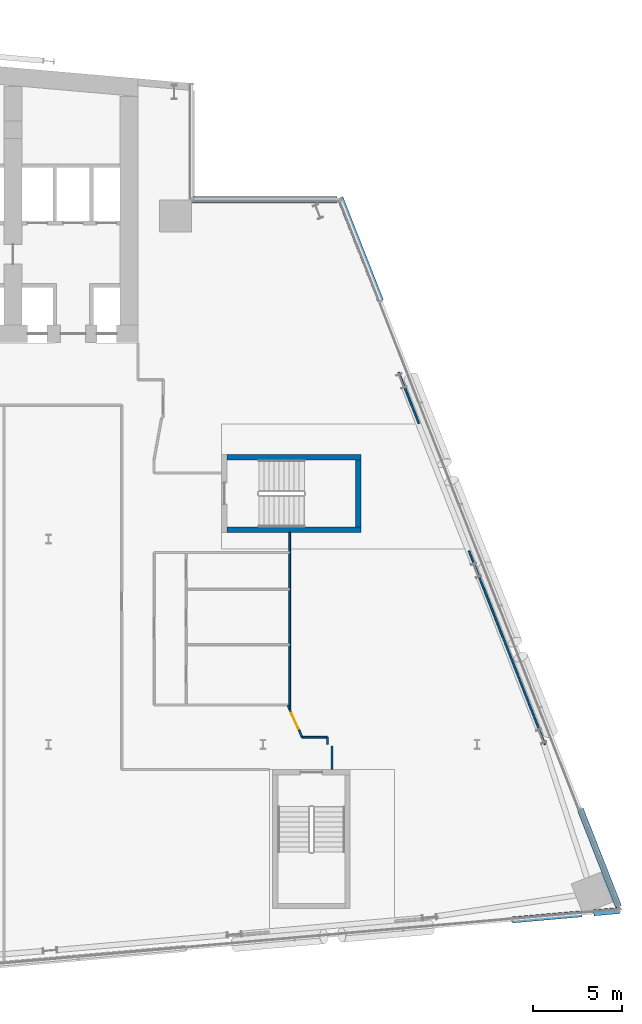
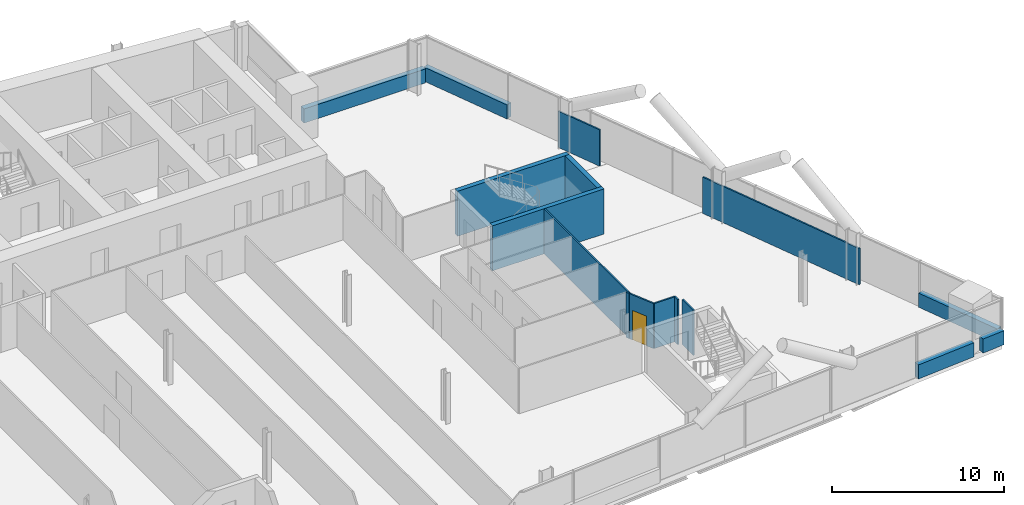
# One storey, part 18 of 25: 16 walls, 1 door, 1 opening.
"""IFC4 building model written with IfcOpenShell, lengths in metres."""

import ifcopenshell
import ifcopenshell.guid

model = None  # the IFC model being written
_history = None  # IfcOwnerHistory: only IFC2X3 demands one
_inside = {}  # id of a spatial element -> (the spatial element, [elements in it])
_under = {}  # id of a project, library or spatial element -> (it, [spatial elements below it])
_declared = {}  # id of a project -> (the project, [libraries it declares])
_typed = {}  # id of a type object -> (the type object, [elements of that type])
_made_of = {}  # id of a material, layer set ... -> (it, [elements and type objects made of it])


def new_model(schema):
    """Start an empty IFC model of exactly this schema.

    Asked for "IFC4X3", IfcOpenShell would pick the latest addendum, in which some entities
    have other attributes; the version numbers below select the first issue.
    IFC2X3 requires an IfcOwnerHistory on every rooted entity: one is made here for all.
    """
    global model, _history
    if schema == "IFC4X3":
        model = ifcopenshell.file(schema_version=(4, 3, 0, 0))
    else:
        model = ifcopenshell.file(schema=schema)
    _inside.clear()
    _under.clear()
    _declared.clear()
    _typed.clear()
    _made_of.clear()
    _history = None
    if model.schema == "IFC2X3":
        org = make("IfcOrganization", Name="unknown")
        user = make(
            "IfcPersonAndOrganization",
            ThePerson=make("IfcPerson", FamilyName="unknown"),
            TheOrganization=org,
        )
        app = make(
            "IfcApplication",
            ApplicationDeveloper=org,
            Version="unknown",
            ApplicationFullName="unknown",
            ApplicationIdentifier="unknown",
        )
        _history = make(
            "IfcOwnerHistory",
            OwningUser=user,
            OwningApplication=app,
            ChangeAction="ADDED",
            CreationDate=0,
        )
    return model


def make(cls, **values):
    """One entity of the class cls with the attributes given. An attribute that is None is left unset."""
    return model.create_entity(
        cls, **{name: value for name, value in values.items() if value is not None}
    )


def rooted(cls, **values):
    """An entity with a GlobalId (a new one), such as an element, a storey or a relation."""
    return make(cls, GlobalId=ifcopenshell.guid.new(), OwnerHistory=_history, **values)


def si_unit(unit_type, name, prefix=None):
    """IfcSIUnit, for example si_unit("LENGTHUNIT", "METRE", prefix="MILLI")."""
    return make("IfcSIUnit", UnitType=unit_type, Prefix=prefix, Name=name)


def assignment(units):
    """IfcUnitAssignment: the units of a project."""
    return None if units is None else make("IfcUnitAssignment", Units=units)


def point(xyz):
    """IfcCartesianPoint."""
    return None if xyz is None else make("IfcCartesianPoint", Coordinates=xyz)


def direction(xyz):
    """IfcDirection."""
    return None if xyz is None else make("IfcDirection", DirectionRatios=xyz)


def frame(location, z_axis=None, x_axis=None):
    """IfcAxis2Placement3D, a coordinate frame: its origin and axes. An axis left out is left unset."""
    return make(
        "IfcAxis2Placement3D",
        Location=point(location),
        Axis=direction(z_axis),
        RefDirection=direction(x_axis),
    )


def frame_2d(location, x_axis=None):
    """IfcAxis2Placement2D, a coordinate frame in the plane: its origin and x axis."""
    return make(
        "IfcAxis2Placement2D", Location=point(location), RefDirection=direction(x_axis)
    )


def origin():
    """The frame at (0, 0, 0) with its axes left unset."""
    return frame((0.0, 0.0, 0.0))


def place(relative_to, where):
    """IfcLocalPlacement: puts the frame where relative to a parent placement (None: the world)."""
    return make(
        "IfcLocalPlacement", PlacementRelTo=relative_to, RelativePlacement=where
    )


def context(
    kind, dimensions, precision=None, world=None, true_north=None, identifier=None
):
    """IfcGeometricRepresentationContext, for example the 3D "Model" context."""
    return make(
        "IfcGeometricRepresentationContext",
        ContextIdentifier=identifier,
        ContextType=kind,
        CoordinateSpaceDimension=dimensions,
        Precision=precision,
        WorldCoordinateSystem=world,
        TrueNorth=true_north,
    )


def subcontext(parent, identifier, kind, view, scale=None):
    """IfcGeometricRepresentationSubContext, for example "Body" below "Model"."""
    return make(
        "IfcGeometricRepresentationSubContext",
        ContextIdentifier=identifier,
        ContextType=kind,
        ParentContext=parent,
        TargetScale=scale,
        TargetView=view,
    )


def project(units=None, contexts=None):
    """IfcProject with its units and contexts."""
    return rooted(
        "IfcProject",
        Name="project",
        RepresentationContexts=contexts,
        UnitsInContext=assignment(units),
    )


def spatial(cls, under=None, at=None, **own):
    """A site, building, storey or space (cls), placed at a placement, below another one or the project."""
    s = rooted(cls, ObjectPlacement=at, **own)
    if under is not None:
        _under.setdefault(under.id(), (under, []))[1].append(s)
    return s


def profile(cls, at=None, kind="AREA", **sizes):
    """A parametric profile (cls). Its sizes go by their IFC names, for example OverallWidth=200.0."""
    return make(cls, ProfileType=kind, Position=at, **sizes)


def rectangle(**sizes):
    """IfcRectangleProfileDef."""
    return profile("IfcRectangleProfileDef", **sizes)


def extrude(swept, where, along, depth):
    """IfcExtrudedAreaSolid: the profile swept, set in the frame where, extruded along a direction by depth."""
    return make(
        "IfcExtrudedAreaSolid",
        SweptArea=swept,
        Position=where,
        ExtrudedDirection=direction(along),
        Depth=depth,
    )


def shape(context_of_items, identifier, shape_type, items):
    """IfcShapeRepresentation: the items that make up one representation, for example the "Body"."""
    return make(
        "IfcShapeRepresentation",
        ContextOfItems=context_of_items,
        RepresentationIdentifier=identifier,
        RepresentationType=shape_type,
        Items=items,
    )


def material(Name=None, Category=None):
    """IfcMaterial."""
    return make("IfcMaterial", Name=Name, Category=Category)


def layer(
    of_material, thickness, ventilated=None, Name=None, Category=None, Priority=None
):
    """IfcMaterialLayer: one layer of a wall or slab, of a material (None: an air gap)."""
    return make(
        "IfcMaterialLayer",
        Material=of_material,
        LayerThickness=thickness,
        IsVentilated=ventilated,
        Name=Name,
        Category=Category,
        Priority=Priority,
    )


def layer_set(layers, Name=None):
    """IfcMaterialLayerSet."""
    return make("IfcMaterialLayerSet", MaterialLayers=layers, LayerSetName=Name)


def made_of(thing, what):
    """Note that an element or type object is made of a material, layer set ...; save() writes the relation."""
    if what is not None:
        _made_of.setdefault(what.id(), (what, []))[1].append(thing)
    return thing


def type_object(cls, material=None, **own):
    """A type object (cls), such as IfcWallType, which elements share."""
    return made_of(rooted(cls, **own), material)


def element(
    cls,
    number,
    at=None,
    inside=None,
    cuts=None,
    type_object=None,
    material=None,
    context=None,
    identifier="Body",
    shape_type=None,
    held_by="IfcProductDefinitionShape",
    body=None,
    shapes=None,
    **own,
):
    """One element of the class cls, such as IfcWall. Its Tag is "e" and its number.

    at: its placement. inside: the storey or other place that contains it. cuts: it is an
    opening in that element (IfcRelVoidsElement). A single representation is given by context,
    identifier, shape_type and body (its items); several are given by shapes. held_by: the class
    of the entity that holds the representations. save() writes the other relations.
    """
    e = rooted(cls, Tag="e%d" % number, ObjectPlacement=at, **own)
    if body is not None:
        shapes = [shape(context, identifier, shape_type, body)]
    if shapes is not None:
        e.Representation = make(held_by, Representations=shapes)
    if inside is not None:
        _inside.setdefault(inside.id(), (inside, []))[1].append(e)
    if cuts is not None:
        rooted(
            "IfcRelVoidsElement", RelatingBuildingElement=cuts, RelatedOpeningElement=e
        )
    if type_object is not None:
        _typed.setdefault(type_object.id(), (type_object, []))[1].append(e)
    return made_of(e, material)


def fill(opening, filler):
    """IfcRelFillsElement: the door or window that sits in an opening."""
    return rooted(
        "IfcRelFillsElement",
        RelatingOpeningElement=opening,
        RelatedBuildingElement=filler,
    )


def aggregate(whole, parts):
    """IfcRelAggregates: a whole, such as a stair, and the parts it consists of."""
    return rooted("IfcRelAggregates", RelatingObject=whole, RelatedObjects=parts)


def save(model, path):
    """Write the relations noted so far, then the file.

    IfcRelAggregates (storeys below a building ...), IfcRelContainedInSpatialStructure (elements
    in a storey), IfcRelDefinesByType, IfcRelAssociatesMaterial and IfcRelDeclares: one each for
    every whole, place, type object, material and project.
    """
    for whole, parts in _under.values():
        aggregate(whole, parts)
    for where, things in _inside.values():
        rooted(
            "IfcRelContainedInSpatialStructure",
            RelatedElements=things,
            RelatingStructure=where,
        )
    for kind, things in _typed.values():
        rooted("IfcRelDefinesByType", RelatedObjects=things, RelatingType=kind)
    for what, things in _made_of.values():
        rooted("IfcRelAssociatesMaterial", RelatedObjects=things, RelatingMaterial=what)
    for by, libraries in _declared.values():
        rooted("IfcRelDeclares", RelatingContext=by, RelatedDefinitions=libraries)
    model.write(path)


model = new_model("IFC4")

# Units and contexts
model_context = context("Model", 3, precision=1e-05, world=origin(), true_north=direction((0.0, 1.0)))
body_context = subcontext(model_context, "Body", "Model", "MODEL_VIEW")
ifc_project = project(units=[si_unit("LENGTHUNIT", "METRE"), si_unit("AREAUNIT", "SQUARE_METRE"), si_unit("VOLUMEUNIT", "CUBIC_METRE"), si_unit("PLANEANGLEUNIT", "RADIAN"), si_unit("MASSUNIT", "GRAM", prefix="KILO")], contexts=[model_context])

# Site, building, storey
site_placement = place(None, origin())
site = spatial("IfcSite", under=ifc_project, at=site_placement, CompositionType="ELEMENT")
building_placement = place(site_placement, origin())
building = spatial("IfcBuilding", under=site, at=building_placement, Name="Wharfspan Tower", CompositionType="ELEMENT")
storey_placement = place(building_placement, frame((0.0, 0.0, 121.899902)))
storey = spatial("IfcBuildingStorey", under=building, at=storey_placement, Name="L28", CompositionType="ELEMENT", Elevation=121.899902)

# Walls
ifc_material_1 = material(Name="Gypsum board on steel studs", Category="steel")
ifc_layer_1 = layer(ifc_material_1, 0.100098)
ifc_layer_set_1 = layer_set([ifc_layer_1], Name="Gypsum board on steel studs")
wall_type_1 = type_object("IfcWallType", Name="Compartment wall 100 EI 60", PredefinedType="PARTITIONING", material=ifc_layer_set_1)
wall_1_placement = place(storey_placement, frame((73.48999, 13.47998, 0.0), z_axis=(0.0, 0.0, 1.0), x_axis=(-0.419275, 0.907861, 0.0)))
element("IfcWall", 1, at=wall_1_placement, inside=storey, type_object=wall_type_1, Name="Partition L28.w034", PredefinedType="PARTITIONING", context=body_context, shape_type="SweptSolid", body=[
    extrude(rectangle(XDim=0.214844, YDim=0.100098, at=frame_2d((0.107422, 0.0))), origin(), (0.0, 0.0, 1.0), 3.200195),
])
wall_2_placement = place(storey_placement, frame((73.5, 13.47998, 0.0), z_axis=(0.0, 0.0, 1.0), x_axis=(0.0, 1.0, 0.0)))
element("IfcWall", 2, at=wall_2_placement, inside=storey, type_object=wall_type_1, Name="Partition L28.w035", PredefinedType="PARTITIONING", context=body_context, shape_type="SweptSolid", body=[
    extrude(rectangle(XDim=9.89502, YDim=0.100098, at=frame_2d((4.94751, 0.0))), origin(), (0.0, 0.0, 1.0), 3.200195),
])

# Wall, opening, door
wall_3_placement = place(storey_placement, frame((74.199951, 11.89502, 0.0), z_axis=(0.0, 0.0, 1.0), x_axis=(-0.409356, 0.912377, 0.0)))
wall_3 = element("IfcWall", 3, at=wall_3_placement, inside=storey, type_object=wall_type_1, Name="Partition L28.w036", PredefinedType="PARTITIONING", context=body_context, shape_type="SweptSolid", body=[
    extrude(rectangle(XDim=1.709961, YDim=0.100098, at=frame_2d((0.85498, 0.0))), origin(), (0.0, 0.0, 1.0), 3.200195),
])
opening_placement = place(wall_3_placement, frame((0.5, 0.0, 0.0)))
opening = element("IfcOpeningElement", 4, at=opening_placement, cuts=wall_3, Name="Opening B4-01", PredefinedType="OPENING", context=body_context, shape_type="SweptSolid", body=[
    extrude(rectangle(XDim=1.0, YDim=2.100098, at=frame_2d((0.5, 1.050049))), frame((0.0, 0.060059, 0.0), z_axis=(0.0, -1.0, 0.0), x_axis=(1.0, 0.0, 0.0)), (0.0, 0.0, 1.0), 0.120117),
])
ifc_material_2 = material(Name="Fire-rated timber door leaf in steel frame", Category="steel")
door_type = type_object("IfcDoorType", Name="Door 1000 FD30S Right", OperationType="SINGLE_SWING_RIGHT", PredefinedType="DOOR", material=ifc_material_2)
door_placement = place(opening_placement, origin())
door = element("IfcDoor", 5, at=door_placement, inside=storey, type_object=door_type, Name="Door B4-01", OperationType="SINGLE_SWING_RIGHT", OverallHeight=2.100098, OverallWidth=1.0, PredefinedType="DOOR", context=body_context, shape_type="SweptSolid", body=[
    extrude(rectangle(XDim=1.0, YDim=2.100098, at=frame_2d((0.5, 1.050049))), frame((0.0, 0.024902, 0.0), z_axis=(0.0, -1.0, 0.0), x_axis=(1.0, 0.0, 0.0)), (0.0, 0.0, 1.0), 0.050049),
])
fill(opening, door)

# Walls
wall_4_placement = place(storey_placement, frame((74.199951, 11.89502, 0.0), z_axis=(0.0, 0.0, 1.0), x_axis=(1.0, 0.0, 0.0)))
element("IfcWall", 6, at=wall_4_placement, inside=storey, type_object=wall_type_1, Name="Partition L28.w037", PredefinedType="PARTITIONING", context=body_context, shape_type="SweptSolid", body=[
    extrude(rectangle(XDim=1.415039, YDim=0.100098, at=frame_2d((0.70752, 0.0))), origin(), (0.0, 0.0, 1.0), 3.200195),
])
wall_5_placement = place(storey_placement, frame((75.61499, 11.514893, 0.0), z_axis=(0.0, 0.0, 1.0), x_axis=(0.0, 1.0, 0.0)))
element("IfcWall", 7, at=wall_5_placement, inside=storey, type_object=wall_type_1, Name="Partition L28.w038", PredefinedType="PARTITIONING", context=body_context, shape_type="SweptSolid", body=[
    extrude(rectangle(XDim=0.380127, YDim=0.100098, at=frame_2d((0.189941, 0.0))), origin(), (0.0, 0.0, 1.0), 3.200195),
])
wall_6_placement = place(storey_placement, frame((75.86499, 10.114746, 0.0), z_axis=(0.0, 0.0, 1.0), x_axis=(0.0, 1.0, 0.0)))
element("IfcWall", 8, at=wall_6_placement, inside=storey, type_object=wall_type_1, Name="Partition L28.w039", PredefinedType="PARTITIONING", context=body_context, shape_type="SweptSolid", body=[
    extrude(rectangle(XDim=1.280273, YDim=0.100098, at=frame_2d((0.640137, 0.0))), origin(), (0.0, 0.0, 1.0), 3.200195),
])
ifc_layer_2 = layer(ifc_material_1, 0.100098)
ifc_layer_set_2 = layer_set([ifc_layer_2], Name="Gypsum board on steel studs")
wall_type_2 = type_object("IfcWallType", Name="Partition 100", PredefinedType="PARTITIONING", material=ifc_layer_set_2)
wall_7_placement = place(storey_placement, frame((80.737061, 29.469971, 0.0), z_axis=(0.0, 0.0, 1.0), x_axis=(-0.366592, 0.930378, 0.0)))
element("IfcWall", 9, at=wall_7_placement, inside=storey, type_object=wall_type_2, Name="Partition L28.w041", PredefinedType="PARTITIONING", context=body_context, shape_type="SweptSolid", body=[
    extrude(rectangle(XDim=3.074219, YDim=0.100098, at=frame_2d((1.537109, 0.0))), origin(), (0.0, 0.0, 1.0), 2.580078),
])
wall_8_placement = place(storey_placement, frame((87.800049, 11.5, 0.0), z_axis=(0.0, 0.0, 1.0), x_axis=(-0.365866, 0.930668, 0.0)))
element("IfcWall", 10, at=wall_8_placement, inside=storey, type_object=wall_type_2, Name="Partition L28.w042", PredefinedType="PARTITIONING", context=body_context, shape_type="SweptSolid", body=[
    extrude(rectangle(XDim=11.640381, YDim=0.100098, at=frame_2d((5.820312, 0.0))), origin(), (0.0, 0.0, 1.0), 2.580078),
])
ifc_material_3 = material(Name="Concrete C40/50", Category="concrete")
ifc_layer_3 = layer(ifc_material_3, 0.350098)
ifc_layer_set_3 = layer_set([ifc_layer_3], Name="Concrete C40/50")
wall_type_3 = type_object("IfcWallType", Name="SPANDREL EXPOSED CONCRETE 350", PredefinedType="SOLIDWALL", material=ifc_layer_set_3)
wall_9_placement = place(storey_placement, frame((85.958984, 1.666504, 0.0), z_axis=(0.0, 0.0, 1.0), x_axis=(0.996194, 0.087167, 0.0)))
element("IfcWall", 11, at=wall_9_placement, inside=storey, type_object=wall_type_3, Name="Spandrel upstand L28 S2 2", PredefinedType="SOLIDWALL", context=body_context, shape_type="SweptSolid", body=[
    extrude(rectangle(XDim=3.921143, YDim=0.350098, at=frame_2d((1.960449, 0.0))), origin(), (0.0, 0.0, 1.0), 1.0),
])
wall_10_placement = place(storey_placement, frame((90.5271, 2.066162, 0.0), z_axis=(0.0, 0.0, 1.0), x_axis=(0.996198, 0.087157, 0.0)))
element("IfcWall", 12, at=wall_10_placement, inside=storey, type_object=wall_type_3, Name="Spandrel upstand L28 S2 3", PredefinedType="SOLIDWALL", context=body_context, shape_type="SweptSolid", body=[
    extrude(rectangle(XDim=1.479004, YDim=0.350098, at=frame_2d((0.739502, 0.0))), origin(), (0.0, 0.0, 1.0), 1.0),
])
wall_11_placement = place(storey_placement, frame((91.921387, 2.413574, 0.0), z_axis=(0.0, 0.0, 1.0), x_axis=(-0.36578, 0.930701, 0.0)))
element("IfcWall", 13, at=wall_11_placement, inside=storey, type_object=wall_type_3, Name="Spandrel upstand L28 E 1", PredefinedType="SOLIDWALL", context=body_context, shape_type="SweptSolid", body=[
    extrude(rectangle(XDim=5.851562, YDim=0.350098, at=frame_2d((2.925781, 0.0))), origin(), (0.0, 0.0, 1.0), 1.0),
])
wall_12_placement = place(storey_placement, frame((78.586426, 36.343994, 0.0), z_axis=(0.0, 0.0, 1.0), x_axis=(-0.365792, 0.930699, 0.0)))
element("IfcWall", 14, at=wall_12_placement, inside=storey, type_object=wall_type_3, Name="Spandrel upstand L28 E 2", PredefinedType="SOLIDWALL", context=body_context, shape_type="SweptSolid", body=[
    extrude(rectangle(XDim=6.20166, YDim=0.350098, at=frame_2d((3.10083, 0.0))), origin(), (0.0, 0.0, 1.0), 1.0),
])
wall_13_placement = place(storey_placement, frame((76.155029, 42.004883, 0.0), z_axis=(0.0, 0.0, 1.0), x_axis=(-1.0, 0.0, 0.0)))
element("IfcWall", 15, at=wall_13_placement, inside=storey, type_object=wall_type_3, Name="Spandrel upstand L28 NRE-H", PredefinedType="SOLIDWALL", context=body_context, shape_type="SweptSolid", body=[
    extrude(rectangle(XDim=8.155029, YDim=0.350098, at=frame_2d((4.077637, 0.0))), origin(), (0.0, 0.0, 1.0), 1.0),
])
ifc_layer_4 = layer(ifc_material_3, 0.300049)
ifc_layer_set_4 = layer_set([ifc_layer_4], Name="Concrete C40/50")
wall_type_4 = type_object("IfcWallType", Name="Stair core wall 300", PredefinedType="SHEAR", material=ifc_layer_set_4)
for number, where, z_axis, x_axis, name in (
    (16, (69.990479, 23.524902, 0.0), (0.0, 0.0, 1.0), (1.0, 0.0, 0.0), "ST6 stair enclosure wall L28"),
    (17, (69.990479, 27.574951, 0.0), (0.0, 0.0, 1.0), (1.0, 0.0, 0.0), "ST6 stair enclosure wall L28"),
):
    element("IfcWall", number, at=place(storey_placement, frame(where, z_axis=z_axis, x_axis=x_axis)), inside=storey, type_object=wall_type_4, Name=name, PredefinedType="SHEAR", context=body_context, shape_type="SweptSolid", body=[
        extrude(rectangle(XDim=7.5, YDim=0.300049, at=frame_2d((3.75, 0.0))), origin(), (0.0, 0.0, 1.0), 3.200195),
    ])
wall_14_placement = place(storey_placement, frame((77.340332, 23.675049, 0.0), z_axis=(0.0, 0.0, 1.0), x_axis=(0.0, 1.0, 0.0)))
element("IfcWall", 18, at=wall_14_placement, inside=storey, type_object=wall_type_4, Name="ST6 stair enclosure wall L28", PredefinedType="SHEAR", context=body_context, shape_type="SweptSolid", body=[
    extrude(rectangle(XDim=3.75, YDim=0.300049, at=frame_2d((1.875, 0.0))), origin(), (0.0, 0.0, 1.0), 3.200195),
])

save(model, "model.ifc")
